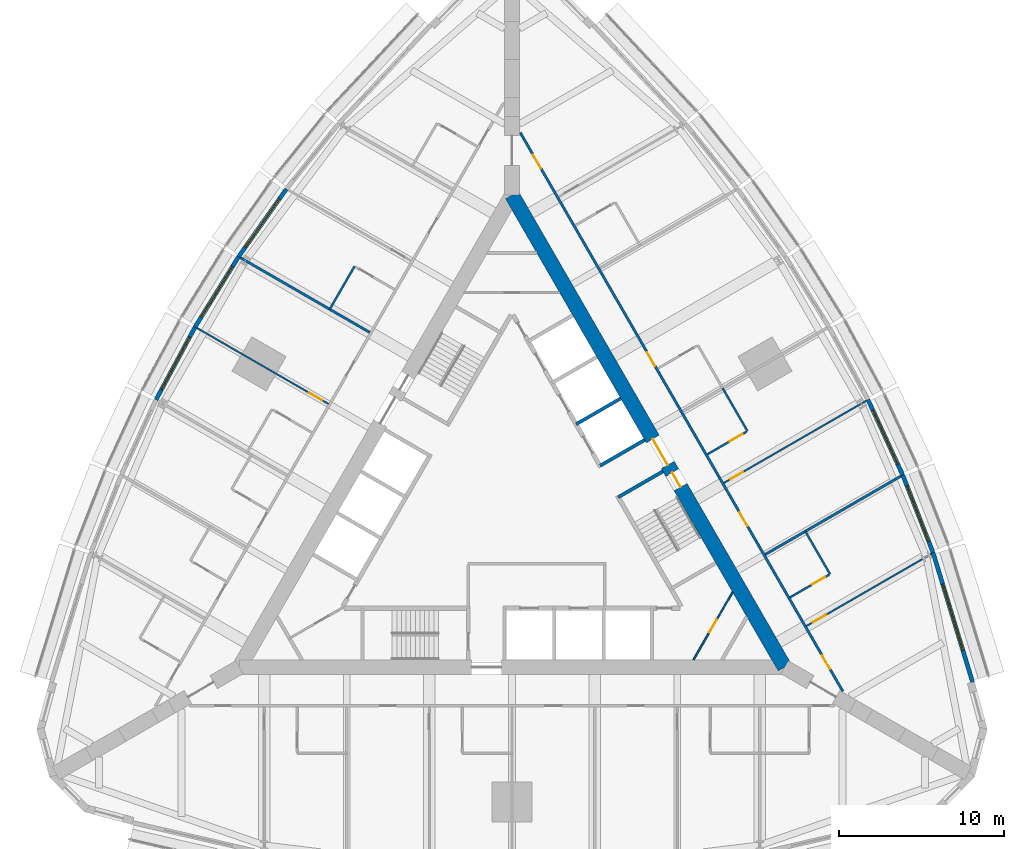
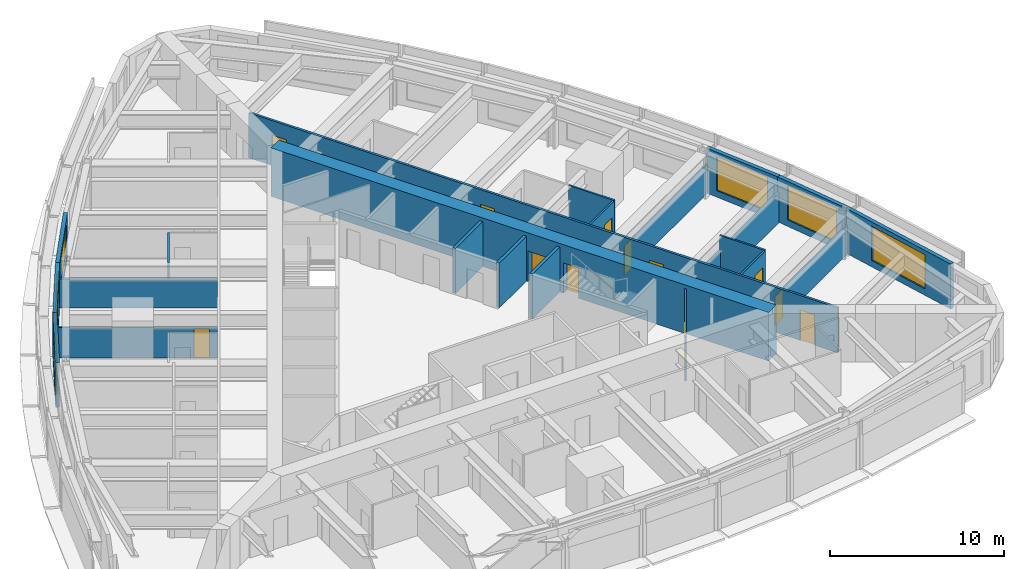
# One storey, part 11 of 14: 22 walls, 12 doors, 6 windows, 18 openings.
"""IFC4 building model written with IfcOpenShell, lengths in metres."""

from ifc_helpers import new_model, si_unit, direction, frame, frame_2d, origin, place, context, subcontext, project, spatial, rectangle, extrude, material, layer, layer_set, type_object, element, fill, save


model = new_model("IFC4")

# Units and contexts
model_context = context("Model", 3, precision=1e-05, world=origin(), true_north=direction((0.0, 1.0)))
body_context = subcontext(model_context, "Body", "Model", "MODEL_VIEW")
ifc_project = project(units=[si_unit("LENGTHUNIT", "METRE"), si_unit("AREAUNIT", "SQUARE_METRE"), si_unit("VOLUMEUNIT", "CUBIC_METRE"), si_unit("PLANEANGLEUNIT", "RADIAN"), si_unit("MASSUNIT", "GRAM", prefix="KILO")], contexts=[model_context])

# Site, building, storey
site_placement = place(None, origin())
site = spatial("IfcSite", under=ifc_project, at=site_placement, CompositionType="ELEMENT")
building_placement = place(site_placement, origin())
building = spatial("IfcBuilding", under=site, at=building_placement, Name="Trikona Tower", CompositionType="ELEMENT")
storey_placement = place(building_placement, frame((0.0, 0.0, 99.89990234375)))
storey = spatial("IfcBuildingStorey", under=building, at=storey_placement, Name="L26", CompositionType="ELEMENT", Elevation=99.89990234375)

# Wall
ifc_material_1 = material(Name="Metal stud and cement board", Category="gypsum")
ifc_layer_1 = layer(ifc_material_1, 0.1201171875)
ifc_layer_set_1 = layer_set([ifc_layer_1], Name="Bathroom wall 120")
wall_type_1 = type_object("IfcWallType", Name="Bathroom wall 120", PredefinedType="PLUMBINGWALL", material=ifc_layer_set_1)
wall_1_placement = place(storey_placement, frame((19.25341796875, -3.895263671875, 0.0), z_axis=(0.0, 0.0, 1.0), x_axis=(-0.499990139034, 0.866031096941, 0.0)))
element("IfcWall", 1, at=wall_1_placement, inside=storey, type_object=wall_type_1, Name="Bathroom wall 2605.1", PredefinedType="PLUMBINGWALL", context=body_context, shape_type="SweptSolid", body=[
    extrude(rectangle(XDim=3.0, YDim=0.1201171875, at=frame_2d((1.5, 0.0))), origin(), (0.0, 0.0, 1.0), 3.150146484375),
])

# Wall, opening, door
wall_2_placement = place(storey_placement, frame((16.82861328125, -5.295166015625, 0.0), z_axis=(0.0, 0.0, 1.0), x_axis=(0.866035715982, 0.499982138324, 0.0)))
wall_2 = element("IfcWall", 2, at=wall_2_placement, inside=storey, type_object=wall_type_1, Name="Bathroom wall 2605.1", PredefinedType="PLUMBINGWALL", context=body_context, shape_type="SweptSolid", body=[
    extrude(rectangle(XDim=2.73974609375, YDim=0.1201171875, at=frame_2d((1.369873046875, 0.0))), origin(), (0.0, 0.0, 1.0), 3.150146484375),
])
opening_1_placement = place(wall_2_placement, frame((1.550048828125, 0.0, 0.0)))
opening_1 = element("IfcOpeningElement", 3, at=opening_1_placement, cuts=wall_2, Name="Opening D2", PredefinedType="OPENING", context=body_context, shape_type="SweptSolid", body=[
    extrude(rectangle(XDim=0.89990234375, YDim=2.1298828125, at=frame_2d((0.449951171875, 1.06494140625))), frame((0.0, 0.070068359375, 0.0), z_axis=(0.0, -1.0, 0.0), x_axis=(1.0, 0.0, 0.0)), (0.0, 0.0, 1.0), 0.14013671875),
])
ifc_material_2 = material(Name="Steel door frame with solid-core timber leaf", Category="steel")
door_type_1 = type_object("IfcDoorType", Name="Bathroom door 900x2130", OperationType="SLIDING_TO_LEFT", PredefinedType="DOOR", material=ifc_material_2)
door_1_placement = place(opening_1_placement, origin())
door_1 = element("IfcDoor", 4, at=door_1_placement, inside=storey, type_object=door_type_1, Name="Bathroom door 2605.1", OperationType="SLIDING_TO_LEFT", OverallHeight=2.1298828125, OverallWidth=0.89990234375, PredefinedType="DOOR", context=body_context, shape_type="SweptSolid", body=[
    extrude(rectangle(XDim=0.89990234375, YDim=2.1298828125, at=frame_2d((0.449951171875, 1.06494140625))), frame((0.0, 0.02490234375, 0.0), z_axis=(0.0, -1.0, 0.0), x_axis=(1.0, 0.0, 0.0)), (0.0, 0.0, 1.0), 0.050048828125),
])
fill(opening_1, door_1)

# Wall
wall_3_placement = place(storey_placement, frame((14.25341796875, 4.76513671875, 0.0), z_axis=(0.0, 0.0, 1.0), x_axis=(-0.50002537861, 0.866010750942, 0.0)))
element("IfcWall", 5, at=wall_3_placement, inside=storey, type_object=wall_type_1, Name="Bathroom wall 2606.1", PredefinedType="PLUMBINGWALL", context=body_context, shape_type="SweptSolid", body=[
    extrude(rectangle(XDim=2.999755859375, YDim=0.1201171875, at=frame_2d((1.5, 0.0))), origin(), (0.0, 0.0, 1.0), 3.150146484375),
])

# Wall, opening, door
wall_4_placement = place(storey_placement, frame((11.82861328125, 3.364990234375, 0.0), z_axis=(0.0, 0.0, 1.0), x_axis=(0.865997131366, 0.500048966069, 0.0)))
wall_4 = element("IfcWall", 6, at=wall_4_placement, inside=storey, type_object=wall_type_1, Name="Bathroom wall 2606.1", PredefinedType="PLUMBINGWALL", context=body_context, shape_type="SweptSolid", body=[
    extrude(rectangle(XDim=2.739990234375, YDim=0.1201171875, at=frame_2d((1.3701171875, 0.0))), origin(), (0.0, 0.0, 1.0), 3.150146484375),
])
opening_2_placement = place(wall_4_placement, frame((1.550048828125, 0.0, 0.0)))
opening_2 = element("IfcOpeningElement", 7, at=opening_2_placement, cuts=wall_4, Name="Opening D2", PredefinedType="OPENING", context=body_context, shape_type="SweptSolid", body=[
    extrude(rectangle(XDim=0.89990234375, YDim=2.1298828125, at=frame_2d((0.449951171875, 1.06494140625))), frame((0.0, 0.070068359375, 0.0), z_axis=(0.0, -1.0, 0.0), x_axis=(1.0, 0.0, 0.0)), (0.0, 0.0, 1.0), 0.14013671875),
])
door_2_placement = place(opening_2_placement, origin())
door_2 = element("IfcDoor", 8, at=door_2_placement, inside=storey, type_object=door_type_1, Name="Bathroom door 2606.1", OperationType="SLIDING_TO_LEFT", OverallHeight=2.1298828125, OverallWidth=0.89990234375, PredefinedType="DOOR", context=body_context, shape_type="SweptSolid", body=[
    extrude(rectangle(XDim=0.89990234375, YDim=2.1298828125, at=frame_2d((0.449951171875, 1.06494140625))), frame((0.0, 0.02490234375, 0.0), z_axis=(0.0, -1.0, 0.0), x_axis=(1.0, 0.0, 0.0)), (0.0, 0.0, 1.0), 0.050048828125),
])
fill(opening_2, door_2)

# Wall
wall_5_placement = place(storey_placement, frame((-9.53271484375, 14.7412109375, 0.0), z_axis=(0.0, 0.0, 1.0), x_axis=(-0.50002537861, -0.866010750942, 0.0)))
element("IfcWall", 9, at=wall_5_placement, inside=storey, type_object=wall_type_1, Name="Bathroom wall 2610.1", PredefinedType="PLUMBINGWALL", context=body_context, shape_type="SweptSolid", body=[
    extrude(rectangle(XDim=2.999755859375, YDim=0.1201171875, at=frame_2d((1.5, 0.0))), origin(), (0.0, 0.0, 1.0), 3.150146484375),
])

# Wall, openings, doors
ifc_material_3 = material(Name="Concrete f'c 10000 psi", Category="concrete")
ifc_layer_2 = layer(ifc_material_3, 0.89990234375)
ifc_layer_set_2 = layer_set([ifc_layer_2], Name="Core wall 900")
wall_type_2 = type_object("IfcWallType", Name="Core wall 900", PredefinedType="SHEAR", material=ifc_layer_set_2)
wall_6_placement = place(storey_placement, frame((16.5, -9.5263671875, 0.0), z_axis=(0.0, 0.0, 1.0), x_axis=(-0.499999749417, 0.866025548458, 0.0)))
wall_6 = element("IfcWall", 10, at=wall_6_placement, inside=storey, type_object=wall_type_2, Name="Core wall B", PredefinedType="SHEAR", context=body_context, shape_type="SweptSolid", body=[
    extrude(rectangle(XDim=33.0, YDim=0.89990234375, at=frame_2d((16.5, 0.0))), origin(), (0.0, 0.0, 1.0), 3.400146484375),
])
opening_3_placement = place(wall_6_placement, frame((14.14990234375, 0.0, 0.0)))
opening_3 = element("IfcOpeningElement", 11, at=opening_3_placement, cuts=wall_6, Name="Opening D6", PredefinedType="OPENING", context=body_context, shape_type="SweptSolid", body=[
    extrude(rectangle(XDim=1.800048828125, YDim=2.1298828125, at=frame_2d((0.89990234375, 1.06494140625))), frame((0.0, 0.4599609375, 0.0), z_axis=(0.0, -1.0, 0.0), x_axis=(1.0, 0.0, 0.0)), (0.0, 0.0, 1.0), 0.919921875),
])
opening_4_placement = place(wall_6_placement, frame((12.60009765625, 0.0, 0.0)))
opening_4 = element("IfcOpeningElement", 12, at=opening_4_placement, cuts=wall_6, Name="Opening D5", PredefinedType="OPENING", context=body_context, shape_type="SweptSolid", body=[
    extrude(rectangle(XDim=1.0, YDim=2.1298828125, at=frame_2d((0.5, 1.06494140625))), frame((0.0, 0.4599609375, 0.0), z_axis=(0.0, -1.0, 0.0), x_axis=(1.0, 0.0, 0.0)), (0.0, 0.0, 1.0), 0.919921875),
])
ifc_material_4 = material(Name="Hollow metal door and frame", Category="steel")
door_type_2 = type_object("IfcDoorType", Name="Lobby door pair 1800x2130", OperationType="DOUBLE_DOOR_SINGLE_SWING", PredefinedType="DOOR", material=ifc_material_4)
door_3_placement = place(opening_3_placement, origin())
door_3 = element("IfcDoor", 13, at=door_3_placement, inside=storey, type_object=door_type_2, Name="Lift lobby door B", OperationType="DOUBLE_DOOR_SINGLE_SWING", OverallHeight=2.1298828125, OverallWidth=1.800048828125, PredefinedType="DOOR", context=body_context, shape_type="SweptSolid", body=[
    extrude(rectangle(XDim=1.800048828125, YDim=2.1298828125, at=frame_2d((0.89990234375, 1.06494140625))), frame((0.0, 0.02490234375, 0.0), z_axis=(0.0, -1.0, 0.0), x_axis=(1.0, 0.0, 0.0)), (0.0, 0.0, 1.0), 0.050048828125),
])
fill(opening_3, door_3)
ifc_material_5 = material(Name="Hollow metal door and frame", Category="steel")
door_type_3 = type_object("IfcDoorType", Name="Stair door 1000x2130", OperationType="SINGLE_SWING_LEFT", PredefinedType="DOOR", material=ifc_material_5)
door_4_placement = place(opening_4_placement, origin())
door_4 = element("IfcDoor", 14, at=door_4_placement, inside=storey, type_object=door_type_3, Name="Stair B door", OperationType="SINGLE_SWING_RIGHT", OverallHeight=2.1298828125, OverallWidth=1.0, PredefinedType="DOOR", context=body_context, shape_type="SweptSolid", body=[
    extrude(rectangle(XDim=1.0, YDim=2.1298828125, at=frame_2d((0.5, 1.06494140625))), frame((0.0, 0.02490234375, 0.0), z_axis=(0.0, -1.0, 0.0), x_axis=(1.0, 0.0, 0.0)), (0.0, 0.0, 1.0), 0.050048828125),
])
fill(opening_4, door_4)

ifc_material_6 = material(Name="Metal stud and gypsum board, 1-hour", Category="gypsum")
ifc_layer_3 = layer(ifc_material_6, 0.14990234375)
ifc_layer_set_3 = layer_set([ifc_layer_3], Name="Corridor wall 150")
wall_type_3 = type_object("IfcWallType", Name="Corridor wall 150", PredefinedType="PARTITIONING", material=ifc_layer_set_3)
wall_7_placement = place(storey_placement, frame((20.027099609375, -10.9853515625, 0.0), z_axis=(0.0, 0.0, 1.0), x_axis=(-0.500001677587, 0.866024435227, 0.0)))
wall_7 = element("IfcWall", 15, at=wall_7_placement, inside=storey, type_object=wall_type_3, Name="Corridor wall L26-2", PredefinedType="PARTITIONING", context=body_context, shape_type="SweptSolid", body=[
    extrude(rectangle(XDim=39.053955078125, YDim=0.14990234375, at=frame_2d((19.52685546875, 0.0))), origin(), (0.0, 0.0, 1.0), 3.150146484375),
])
opening_5_placement = place(wall_7_placement, frame((1.558349609375, 0.0, 0.0)))
opening_5 = element("IfcOpeningElement", 16, at=opening_5_placement, cuts=wall_7, Name="Opening D1", PredefinedType="OPENING", context=body_context, shape_type="SweptSolid", body=[
    extrude(rectangle(XDim=0.949951171875, YDim=2.1298828125, at=frame_2d((0.47509765625, 1.06494140625))), frame((0.0, 0.0849609375, 0.0), z_axis=(0.0, -1.0, 0.0), x_axis=(1.0, 0.0, 0.0)), (0.0, 0.0, 1.0), 0.169921875),
])
opening_6_placement = place(wall_7_placement, frame((11.552001953125, 0.0, 0.0)))
opening_6 = element("IfcOpeningElement", 17, at=opening_6_placement, cuts=wall_7, Name="Opening D1", PredefinedType="OPENING", context=body_context, shape_type="SweptSolid", body=[
    extrude(rectangle(XDim=0.949951171875, YDim=2.1298828125, at=frame_2d((0.47509765625, 1.06494140625))), frame((0.0, 0.0849609375, 0.0), z_axis=(0.0, -1.0, 0.0), x_axis=(1.0, 0.0, 0.0)), (0.0, 0.0, 1.0), 0.169921875),
])
opening_7_placement = place(wall_7_placement, frame((22.751953125, 0.0, 0.0)))
opening_7 = element("IfcOpeningElement", 18, at=opening_7_placement, cuts=wall_7, Name="Opening D1", PredefinedType="OPENING", context=body_context, shape_type="SweptSolid", body=[
    extrude(rectangle(XDim=0.949951171875, YDim=2.1298828125, at=frame_2d((0.47509765625, 1.06494140625))), frame((0.0, 0.0849609375, 0.0), z_axis=(0.0, -1.0, 0.0), x_axis=(1.0, 0.0, 0.0)), (0.0, 0.0, 1.0), 0.169921875),
])
opening_8_placement = place(wall_7_placement, frame((36.545654296875, 0.0, 0.0)))
opening_8 = element("IfcOpeningElement", 19, at=opening_8_placement, cuts=wall_7, Name="Opening D1", PredefinedType="OPENING", context=body_context, shape_type="SweptSolid", body=[
    extrude(rectangle(XDim=0.949951171875, YDim=2.1298828125, at=frame_2d((0.47509765625, 1.06494140625))), frame((0.0, 0.0849609375, 0.0), z_axis=(0.0, -1.0, 0.0), x_axis=(1.0, 0.0, 0.0)), (0.0, 0.0, 1.0), 0.169921875),
])
ifc_material_7 = material(Name="Steel door frame with solid-core timber leaf", Category="steel")
door_type_4 = type_object("IfcDoorType", Name="Guest room door 950x2130", OperationType="SINGLE_SWING_LEFT", PredefinedType="DOOR", material=ifc_material_7)
door_5_placement = place(opening_5_placement, origin())
door_5 = element("IfcDoor", 20, at=door_5_placement, inside=storey, type_object=door_type_4, Name="Room door 2605", OperationType="SINGLE_SWING_LEFT", OverallHeight=2.1298828125, OverallWidth=0.949951171875, PredefinedType="DOOR", context=body_context, shape_type="SweptSolid", body=[
    extrude(rectangle(XDim=0.949951171875, YDim=2.1298828125, at=frame_2d((0.47509765625, 1.06494140625))), frame((0.0, 0.02490234375, 0.0), z_axis=(0.0, -1.0, 0.0), x_axis=(1.0, 0.0, 0.0)), (0.0, 0.0, 1.0), 0.050048828125),
])
fill(opening_5, door_5)
door_6_placement = place(opening_6_placement, origin())
door_6 = element("IfcDoor", 21, at=door_6_placement, inside=storey, type_object=door_type_4, Name="Room door 2606", OperationType="SINGLE_SWING_RIGHT", OverallHeight=2.1298828125, OverallWidth=0.949951171875, PredefinedType="DOOR", context=body_context, shape_type="SweptSolid", body=[
    extrude(rectangle(XDim=0.949951171875, YDim=2.1298828125, at=frame_2d((0.47509765625, 1.06494140625))), frame((0.0, 0.02490234375, 0.0), z_axis=(0.0, -1.0, 0.0), x_axis=(1.0, 0.0, 0.0)), (0.0, 0.0, 1.0), 0.050048828125),
])
fill(opening_6, door_6)
door_7_placement = place(opening_7_placement, origin())
door_7 = element("IfcDoor", 22, at=door_7_placement, inside=storey, type_object=door_type_4, Name="Room door 2607", OperationType="SINGLE_SWING_LEFT", OverallHeight=2.1298828125, OverallWidth=0.949951171875, PredefinedType="DOOR", context=body_context, shape_type="SweptSolid", body=[
    extrude(rectangle(XDim=0.949951171875, YDim=2.1298828125, at=frame_2d((0.47509765625, 1.06494140625))), frame((0.0, 0.02490234375, 0.0), z_axis=(0.0, -1.0, 0.0), x_axis=(1.0, 0.0, 0.0)), (0.0, 0.0, 1.0), 0.050048828125),
])
fill(opening_7, door_7)
door_8_placement = place(opening_8_placement, origin())
door_8 = element("IfcDoor", 23, at=door_8_placement, inside=storey, type_object=door_type_4, Name="Room door 2608", OperationType="SINGLE_SWING_RIGHT", OverallHeight=2.1298828125, OverallWidth=0.949951171875, PredefinedType="DOOR", context=body_context, shape_type="SweptSolid", body=[
    extrude(rectangle(XDim=0.949951171875, YDim=2.1298828125, at=frame_2d((0.47509765625, 1.06494140625))), frame((0.0, 0.02490234375, 0.0), z_axis=(0.0, -1.0, 0.0), x_axis=(1.0, 0.0, 0.0)), (0.0, 0.0, 1.0), 0.050048828125),
])
fill(opening_8, door_8)

# Wall, opening, window
ifc_material_8 = material(Name="Insulated precast concrete spandrel panel", Category="concrete")
ifc_layer_4 = layer(ifc_material_8, 0.25)
ifc_layer_set_4 = layer_set([ifc_layer_4], Name="Inner skin wall 250")
wall_type_4 = type_object("IfcWallType", Name="Inner skin wall 250", PredefinedType="STANDARD", material=ifc_layer_set_4)
wall_8_placement = place(storey_placement, frame((27.88037109375, -10.4287109375, 0.0), z_axis=(0.0, 0.0, 1.0), x_axis=(-0.2919790669, 0.956424709265, 0.0)))
wall_8 = element("IfcWall", 24, at=wall_8_placement, inside=storey, type_object=wall_type_4, Name="External wall L26-12", PredefinedType="STANDARD", context=body_context, shape_type="SweptSolid", body=[
    extrude(rectangle(XDim=8.211181640625, YDim=0.25, at=frame_2d((4.10546875, 0.0))), origin(), (0.0, 0.0, 1.0), 3.150146484375),
])
opening_9_placement = place(wall_8_placement, frame((2.005615234375, 0.0, 0.449951171875)))
opening_9 = element("IfcOpeningElement", 25, at=opening_9_placement, cuts=wall_8, Name="Opening W4224", PredefinedType="OPENING", context=body_context, shape_type="SweptSolid", body=[
    extrude(rectangle(XDim=4.199951171875, YDim=2.39990234375, at=frame_2d((2.10009765625, 1.199951171875))), frame((0.0, 0.135009765625, 0.0), z_axis=(0.0, -1.0, 0.0), x_axis=(1.0, 0.0, 0.0)), (0.0, 0.0, 1.0), 0.27001953125),
])
ifc_material_9 = material(Name="Aluminium-framed double glazing", Category="aluminium")
window_type_1 = type_object("IfcWindowType", Name="Window 4200x2400", PartitioningType="SINGLE_PANEL", PredefinedType="WINDOW", material=ifc_material_9)
window_1_placement = place(opening_9_placement, origin())
window_1 = element("IfcWindow", 26, at=window_1_placement, inside=storey, type_object=window_type_1, Name="Window 2605", OverallHeight=2.39990234375, OverallWidth=4.199951171875, PartitioningType="SINGLE_PANEL", PredefinedType="WINDOW", context=body_context, shape_type="SweptSolid", body=[
    extrude(rectangle(XDim=4.199951171875, YDim=2.39990234375, at=frame_2d((2.10009765625, 1.199951171875))), frame((0.0, 0.030029296875, 0.0), z_axis=(0.0, -1.0, 0.0), x_axis=(1.0, 0.0, 0.0)), (0.0, 0.0, 1.0), 0.06005859375),
])
fill(opening_9, window_1)

wall_9_placement = place(storey_placement, frame((25.486083984375, -2.58447265625, 0.0), z_axis=(0.0, 0.0, 1.0), x_axis=(-0.364013463868, 0.931393685894, 0.0)))
wall_9 = element("IfcWall", 27, at=wall_9_placement, inside=storey, type_object=wall_type_4, Name="External wall L26-13", PredefinedType="STANDARD", context=body_context, shape_type="SweptSolid", body=[
    extrude(rectangle(XDim=5.0576171875, YDim=0.25, at=frame_2d((2.52880859375, 0.0))), origin(), (0.0, 0.0, 1.0), 3.150146484375),
])
opening_10_placement = place(wall_9_placement, frame((0.728759765625, 0.0, 0.449951171875)))
opening_10 = element("IfcOpeningElement", 28, at=opening_10_placement, cuts=wall_9, Name="Opening W3624", PredefinedType="OPENING", context=body_context, shape_type="SweptSolid", body=[
    extrude(rectangle(XDim=3.60009765625, YDim=2.39990234375, at=frame_2d((1.800048828125, 1.199951171875))), frame((0.0, 0.135009765625, 0.0), z_axis=(0.0, -1.0, 0.0), x_axis=(1.0, 0.0, 0.0)), (0.0, 0.0, 1.0), 0.27001953125),
])
ifc_material_10 = material(Name="Aluminium-framed double glazing", Category="aluminium")
window_type_2 = type_object("IfcWindowType", Name="Window 3600x2400", PartitioningType="SINGLE_PANEL", PredefinedType="WINDOW", material=ifc_material_10)
window_2_placement = place(opening_10_placement, origin())
window_2 = element("IfcWindow", 29, at=window_2_placement, inside=storey, type_object=window_type_2, Name="Window 2605.1", OverallHeight=2.39990234375, OverallWidth=3.60009765625, PartitioningType="SINGLE_PANEL", PredefinedType="WINDOW", context=body_context, shape_type="SweptSolid", body=[
    extrude(rectangle(XDim=3.60009765625, YDim=2.39990234375, at=frame_2d((1.800048828125, 1.199951171875))), frame((0.0, 0.030029296875, 0.0), z_axis=(0.0, -1.0, 0.0), x_axis=(1.0, 0.0, 0.0)), (0.0, 0.0, 1.0), 0.06005859375),
])
fill(opening_10, window_2)

wall_10_placement = place(storey_placement, frame((23.64794921875, 2.119384765625, 0.0), z_axis=(0.0, 0.0, 1.0), x_axis=(-0.419203100754, 0.907892482796, 0.0)))
wall_10 = element("IfcWall", 30, at=wall_10_placement, inside=storey, type_object=wall_type_4, Name="External wall L26-14", PredefinedType="STANDARD", context=body_context, shape_type="SweptSolid", body=[
    extrude(rectangle(XDim=5.020751953125, YDim=0.25, at=frame_2d((2.51025390625, 0.0))), origin(), (0.0, 0.0, 1.0), 3.150146484375),
])
opening_11_placement = place(wall_10_placement, frame((0.71044921875, 0.0, 0.449951171875)))
opening_11 = element("IfcOpeningElement", 31, at=opening_11_placement, cuts=wall_10, Name="Opening W3624", PredefinedType="OPENING", context=body_context, shape_type="SweptSolid", body=[
    extrude(rectangle(XDim=3.60009765625, YDim=2.39990234375, at=frame_2d((1.800048828125, 1.199951171875))), frame((0.0, 0.135009765625, 0.0), z_axis=(0.0, -1.0, 0.0), x_axis=(1.0, 0.0, 0.0)), (0.0, 0.0, 1.0), 0.27001953125),
])
window_3_placement = place(opening_11_placement, origin())
window_3 = element("IfcWindow", 32, at=window_3_placement, inside=storey, type_object=window_type_2, Name="Window 2606", OverallHeight=2.39990234375, OverallWidth=3.60009765625, PartitioningType="SINGLE_PANEL", PredefinedType="WINDOW", context=body_context, shape_type="SweptSolid", body=[
    extrude(rectangle(XDim=3.60009765625, YDim=2.39990234375, at=frame_2d((1.800048828125, 1.199951171875))), frame((0.0, 0.030029296875, 0.0), z_axis=(0.0, -1.0, 0.0), x_axis=(1.0, 0.0, 0.0)), (0.0, 0.0, 1.0), 0.06005859375),
])
fill(opening_11, window_3)

wall_11_placement = place(storey_placement, frame((-13.659423828125, 19.420166015625, 0.0), z_axis=(0.0, 0.0, 1.0), x_axis=(-0.5766431066, -0.81699616132, 0.0)))
wall_11 = element("IfcWall", 33, at=wall_11_placement, inside=storey, type_object=wall_type_4, Name="External wall L26-26", PredefinedType="STANDARD", context=body_context, shape_type="SweptSolid", body=[
    extrude(rectangle(XDim=5.02099609375, YDim=0.25, at=frame_2d((2.510498046875, 0.0))), origin(), (0.0, 0.0, 1.0), 3.150146484375),
])
opening_12_placement = place(wall_11_placement, frame((0.71044921875, 0.0, 0.449951171875)))
opening_12 = element("IfcOpeningElement", 34, at=opening_12_placement, cuts=wall_11, Name="Opening W3624", PredefinedType="OPENING", context=body_context, shape_type="SweptSolid", body=[
    extrude(rectangle(XDim=3.60009765625, YDim=2.39990234375, at=frame_2d((1.800048828125, 1.199951171875))), frame((0.0, 0.135009765625, 0.0), z_axis=(0.0, -1.0, 0.0), x_axis=(1.0, 0.0, 0.0)), (0.0, 0.0, 1.0), 0.27001953125),
])
window_4_placement = place(opening_12_placement, origin())
window_4 = element("IfcWindow", 35, at=window_4_placement, inside=storey, type_object=window_type_2, Name="Window 2610.1", OverallHeight=2.39990234375, OverallWidth=3.60009765625, PartitioningType="SINGLE_PANEL", PredefinedType="WINDOW", context=body_context, shape_type="SweptSolid", body=[
    extrude(rectangle(XDim=3.60009765625, YDim=2.39990234375, at=frame_2d((1.800048828125, 1.199951171875))), frame((0.0, 0.030029296875, 0.0), z_axis=(0.0, -1.0, 0.0), x_axis=(1.0, 0.0, 0.0)), (0.0, 0.0, 1.0), 0.06005859375),
])
fill(opening_12, window_4)

wall_12_placement = place(storey_placement, frame((-16.550537109375, 15.324462890625, 0.0), z_axis=(0.0, 0.0, 1.0), x_axis=(-0.526132807704, -0.850402415717, 0.0)))
wall_12 = element("IfcWall", 36, at=wall_12_placement, inside=storey, type_object=wall_type_4, Name="External wall L26-27", PredefinedType="STANDARD", context=body_context, shape_type="SweptSolid", body=[
    extrude(rectangle(XDim=5.002197265625, YDim=0.25, at=frame_2d((2.5009765625, 0.0))), origin(), (0.0, 0.0, 1.0), 3.150146484375),
])
opening_13_placement = place(wall_12_placement, frame((0.701171875, 0.0, 0.449951171875)))
opening_13 = element("IfcOpeningElement", 37, at=opening_13_placement, cuts=wall_12, Name="Opening W3624", PredefinedType="OPENING", context=body_context, shape_type="SweptSolid", body=[
    extrude(rectangle(XDim=3.60009765625, YDim=2.39990234375, at=frame_2d((1.800048828125, 1.199951171875))), frame((0.0, 0.135009765625, 0.0), z_axis=(0.0, -1.0, 0.0), x_axis=(1.0, 0.0, 0.0)), (0.0, 0.0, 1.0), 0.27001953125),
])
window_5_placement = place(opening_13_placement, origin())
window_5 = element("IfcWindow", 38, at=window_5_placement, inside=storey, type_object=window_type_2, Name="Window 2611", OverallHeight=2.39990234375, OverallWidth=3.60009765625, PartitioningType="SINGLE_PANEL", PredefinedType="WINDOW", context=body_context, shape_type="SweptSolid", body=[
    extrude(rectangle(XDim=3.60009765625, YDim=2.39990234375, at=frame_2d((1.800048828125, 1.199951171875))), frame((0.0, 0.030029296875, 0.0), z_axis=(0.0, -1.0, 0.0), x_axis=(1.0, 0.0, 0.0)), (0.0, 0.0, 1.0), 0.06005859375),
])
fill(opening_13, window_5)

wall_13_placement = place(storey_placement, frame((-19.178466796875, 11.0771484375, 0.0), z_axis=(0.0, 0.0, 1.0), x_axis=(-0.473412820489, -0.880840678782, 0.0)))
wall_13 = element("IfcWall", 39, at=wall_13_placement, inside=storey, type_object=wall_type_4, Name="External wall L26-28", PredefinedType="STANDARD", context=body_context, shape_type="SweptSolid", body=[
    extrude(rectangle(XDim=5.00244140625, YDim=0.25, at=frame_2d((2.501220703125, 0.0))), origin(), (0.0, 0.0, 1.0), 3.150146484375),
])
opening_14_placement = place(wall_13_placement, frame((0.701171875, 0.0, 0.449951171875)))
opening_14 = element("IfcOpeningElement", 40, at=opening_14_placement, cuts=wall_13, Name="Opening W3624", PredefinedType="OPENING", context=body_context, shape_type="SweptSolid", body=[
    extrude(rectangle(XDim=3.60009765625, YDim=2.39990234375, at=frame_2d((1.800048828125, 1.199951171875))), frame((0.0, 0.135009765625, 0.0), z_axis=(0.0, -1.0, 0.0), x_axis=(1.0, 0.0, 0.0)), (0.0, 0.0, 1.0), 0.27001953125),
])
window_6_placement = place(opening_14_placement, origin())
window_6 = element("IfcWindow", 41, at=window_6_placement, inside=storey, type_object=window_type_2, Name="Window 2611.1", OverallHeight=2.39990234375, OverallWidth=3.60009765625, PartitioningType="SINGLE_PANEL", PredefinedType="WINDOW", context=body_context, shape_type="SweptSolid", body=[
    extrude(rectangle(XDim=3.60009765625, YDim=2.39990234375, at=frame_2d((1.800048828125, 1.199951171875))), frame((0.0, 0.030029296875, 0.0), z_axis=(0.0, -1.0, 0.0), x_axis=(1.0, 0.0, 0.0)), (0.0, 0.0, 1.0), 0.06005859375),
])
fill(opening_14, window_6)

# Walls
ifc_material_11 = material(Name="Metal stud and gypsum board, 1-hour acoustic", Category="gypsum")
ifc_layer_5 = layer(ifc_material_11, 0.14990234375)
ifc_layer_set_5 = layer_set([ifc_layer_5], Name="Party wall 150")
wall_type_5 = type_object("IfcWallType", Name="Party wall 150", PredefinedType="PARTITIONING", material=ifc_layer_set_5)
wall_14_placement = place(storey_placement, frame((15.32861328125, -2.697021484375, 0.0), z_axis=(0.0, 0.0, 1.0), x_axis=(0.866018409083, 0.500012114982, 0.0)))
element("IfcWall", 42, at=wall_14_placement, inside=storey, type_object=wall_type_5, Name="Partition L26 F2 u-10", PredefinedType="PARTITIONING", context=body_context, shape_type="SweptSolid", body=[
    extrude(rectangle(XDim=9.484619140625, YDim=0.14990234375, at=frame_2d((4.7421875, 0.0))), origin(), (0.0, 0.0, 1.0), 2.108642578125),
])
wall_15_placement = place(storey_placement, frame((-8.60791015625, 10.743408203125, 0.0), z_axis=(0.0, 0.0, 1.0), x_axis=(-0.866028232062, 0.499995101247, 0.0)))
element("IfcWall", 43, at=wall_15_placement, inside=storey, type_object=wall_type_5, Name="Partition L26 F3 u-5", PredefinedType="PARTITIONING", context=body_context, shape_type="SweptSolid", body=[
    extrude(rectangle(XDim=9.04296875, YDim=0.14990234375, at=frame_2d((4.521484375, 0.0))), origin(), (0.0, 0.0, 1.0), 2.050048828125),
])
ifc_material_12 = material(Name="Concrete f'c 8000 psi", Category="concrete")
ifc_layer_6 = layer(ifc_material_12, 0.199951171875)
ifc_layer_set_6 = layer_set([ifc_layer_6], Name="Shaft wall 200")
wall_type_6 = type_object("IfcWallType", Name="Shaft wall 200", PredefinedType="SOLIDWALL", material=ifc_layer_set_6)
for number, where, z_axis, x_axis, name in (
    (44, (5.3291015625, 2.672607421875, 0.0), (0.0, 0.0, 1.0), (0.866022959057, 0.500004234368, 0.0), "Shaft wall B3"),
    (45, (3.87890625, 5.18408203125, 0.0), (0.0, 0.0, 1.0), (0.866022959057, 0.500004234368, 0.0), "Shaft wall B4"),
):
    element("IfcWall", number, at=place(storey_placement, frame(where, z_axis=z_axis, x_axis=x_axis)), inside=storey, type_object=wall_type_6, Name=name, PredefinedType="SOLIDWALL", context=body_context, shape_type="SweptSolid", body=[
        extrude(rectangle(XDim=3.125, YDim=0.199951171875, at=frame_2d((1.5625, 0.0))), origin(), (0.0, 0.0, 1.0), 3.150146484375),
    ])
ifc_material_13 = material(Name="Concrete f'c 8000 psi", Category="concrete")
ifc_layer_7 = layer(ifc_material_13, 0.199951171875)
ifc_layer_set_7 = layer_set([ifc_layer_7], Name="Shaft wall 200 load-bearing")
wall_type_7 = type_object("IfcWallType", Name="Shaft wall 200 load-bearing", PredefinedType="SOLIDWALL", material=ifc_layer_set_7)
wall_16_placement = place(storey_placement, frame((6.428955078125, 0.767333984375, 0.0), z_axis=(0.0, 0.0, 1.0), x_axis=(0.866022959057, 0.500004234368, 0.0)))
element("IfcWall", 46, at=wall_16_placement, inside=storey, type_object=wall_type_7, Name="Shaft wall B2", PredefinedType="SOLIDWALL", context=body_context, shape_type="SweptSolid", body=[
    extrude(rectangle(XDim=3.125, YDim=0.199951171875, at=frame_2d((1.5625, 0.0))), origin(), (0.0, 0.0, 1.0), 3.150146484375),
])

# Wall, opening, door
ifc_material_14 = material(Name="Metal stud and gypsum board, acoustic", Category="gypsum")
ifc_layer_8 = layer(ifc_material_14, 0.10009765625)
ifc_layer_set_8 = layer_set([ifc_layer_8], Name="Suite partition 100")
wall_type_8 = type_object("IfcWallType", Name="Suite partition 100", PredefinedType="PARTITIONING", material=ifc_layer_set_8)
wall_17_placement = place(storey_placement, frame((17.82861328125, -7.027099609375, 0.0), z_axis=(0.0, 0.0, 1.0), x_axis=(0.866032659912, 0.499987431809, 0.0)))
wall_17 = element("IfcWall", 47, at=wall_17_placement, inside=storey, type_object=wall_type_8, Name="Suite partition L26 F2 u-15", PredefinedType="PARTITIONING", context=body_context, shape_type="SweptSolid", body=[
    extrude(rectangle(XDim=8.719970703125, YDim=0.10009765625, at=frame_2d((4.35986328125, 0.0))), origin(), (0.0, 0.0, 1.0), 2.050048828125),
])
opening_15_placement = place(wall_17_placement, frame((0.449951171875, 0.0, 0.0)))
opening_15 = element("IfcOpeningElement", 48, at=opening_15_placement, cuts=wall_17, Name="Opening D16", PredefinedType="OPENING", context=body_context, shape_type="SweptSolid", body=[
    extrude(rectangle(XDim=0.89990234375, YDim=2.031982421875, at=frame_2d((0.449951171875, 1.01611328125))), frame((0.0, 0.06005859375, 0.0), z_axis=(0.0, -1.0, 0.0), x_axis=(1.0, 0.0, 0.0)), (0.0, 0.0, 1.0), 0.1201171875),
])
ifc_material_15 = material(Name="Steel door frame with solid-core timber leaf", Category="steel")
door_type_5 = type_object("IfcDoorType", Name="Suite door 900x2032", OperationType="SINGLE_SWING_LEFT", PredefinedType="DOOR", material=ifc_material_15)
door_9_placement = place(opening_15_placement, origin())
door_9 = element("IfcDoor", 49, at=door_9_placement, inside=storey, type_object=door_type_5, Name="Suite door 2605", OperationType="SINGLE_SWING_LEFT", OverallHeight=2.031982421875, OverallWidth=0.89990234375, PredefinedType="DOOR", context=body_context, shape_type="SweptSolid", body=[
    extrude(rectangle(XDim=0.89990234375, YDim=2.031982421875, at=frame_2d((0.449951171875, 1.01611328125))), frame((0.0, 0.02490234375, 0.0), z_axis=(0.0, -1.0, 0.0), x_axis=(1.0, 0.0, 0.0)), (0.0, 0.0, 1.0), 0.050048828125),
])
fill(opening_15, door_9)

wall_18_placement = place(storey_placement, frame((12.82861328125, 1.633056640625, 0.0), z_axis=(0.0, 0.0, 1.0), x_axis=(0.866026934769, 0.499997348248, 0.0)))
wall_18 = element("IfcWall", 50, at=wall_18_placement, inside=storey, type_object=wall_type_8, Name="Suite partition L26 F2 u-5", PredefinedType="PARTITIONING", context=body_context, shape_type="SweptSolid", body=[
    extrude(rectangle(XDim=9.94287109375, YDim=0.10009765625, at=frame_2d((4.971435546875, 0.0))), origin(), (0.0, 0.0, 1.0), 2.050048828125),
])
opening_16_placement = place(wall_18_placement, frame((0.449951171875, 0.0, 0.0)))
opening_16 = element("IfcOpeningElement", 51, at=opening_16_placement, cuts=wall_18, Name="Opening D16", PredefinedType="OPENING", context=body_context, shape_type="SweptSolid", body=[
    extrude(rectangle(XDim=0.89990234375, YDim=2.031982421875, at=frame_2d((0.449951171875, 1.01611328125))), frame((0.0, 0.06005859375, 0.0), z_axis=(0.0, -1.0, 0.0), x_axis=(1.0, 0.0, 0.0)), (0.0, 0.0, 1.0), 0.1201171875),
])
door_10_placement = place(opening_16_placement, origin())
door_10 = element("IfcDoor", 52, at=door_10_placement, inside=storey, type_object=door_type_5, Name="Suite door 2606", OperationType="SINGLE_SWING_LEFT", OverallHeight=2.031982421875, OverallWidth=0.89990234375, PredefinedType="DOOR", context=body_context, shape_type="SweptSolid", body=[
    extrude(rectangle(XDim=0.89990234375, YDim=2.031982421875, at=frame_2d((0.449951171875, 1.01611328125))), frame((0.0, 0.02490234375, 0.0), z_axis=(0.0, -1.0, 0.0), x_axis=(1.0, 0.0, 0.0)), (0.0, 0.0, 1.0), 0.050048828125),
])
fill(opening_16, door_10)

wall_19_placement = place(storey_placement, frame((-11.10791015625, 6.4130859375, 0.0), z_axis=(0.0, 0.0, 1.0), x_axis=(-0.866022450903, 0.500005114506, 0.0)))
wall_19 = element("IfcWall", 53, at=wall_19_placement, inside=storey, type_object=wall_type_8, Name="Suite partition L26 F3 u-5.10703e-15", PredefinedType="PARTITIONING", context=body_context, shape_type="SweptSolid", body=[
    extrude(rectangle(XDim=9.1962890625, YDim=0.10009765625, at=frame_2d((4.59814453125, 0.0))), origin(), (0.0, 0.0, 1.0), 2.108642578125),
])
opening_17_placement = place(wall_19_placement, frame((0.449951171875, 0.0, 0.0)))
opening_17 = element("IfcOpeningElement", 54, at=opening_17_placement, cuts=wall_19, Name="Opening D16", PredefinedType="OPENING", context=body_context, shape_type="SweptSolid", body=[
    extrude(rectangle(XDim=0.89990234375, YDim=2.031982421875, at=frame_2d((0.449951171875, 1.01611328125))), frame((0.0, 0.06005859375, 0.0), z_axis=(0.0, -1.0, 0.0), x_axis=(1.0, 0.0, 0.0)), (0.0, 0.0, 1.0), 0.1201171875),
])
door_11_placement = place(opening_17_placement, origin())
door_11 = element("IfcDoor", 55, at=door_11_placement, inside=storey, type_object=door_type_5, Name="Suite door 2611", OperationType="SINGLE_SWING_LEFT", OverallHeight=2.031982421875, OverallWidth=0.89990234375, PredefinedType="DOOR", context=body_context, shape_type="SweptSolid", body=[
    extrude(rectangle(XDim=0.89990234375, YDim=2.031982421875, at=frame_2d((0.449951171875, 1.01611328125))), frame((0.0, 0.02490234375, 0.0), z_axis=(0.0, -1.0, 0.0), x_axis=(1.0, 0.0, 0.0)), (0.0, 0.0, 1.0), 0.050048828125),
])
fill(opening_17, door_11)

wall_20_placement = place(storey_placement, frame((13.353515625, -4.976318359375, 0.0), z_axis=(0.0, 0.0, 1.0), x_axis=(-0.499999210213, -0.866025859768, 0.0)))
wall_20 = element("IfcWall", 56, at=wall_20_placement, inside=storey, type_object=wall_type_8, Name="Store partition L26-RS1", PredefinedType="PARTITIONING", context=body_context, shape_type="SweptSolid", body=[
    extrude(rectangle(XDim=4.734375, YDim=0.10009765625, at=frame_2d((2.3671875, 0.0))), origin(), (0.0, 0.0, 1.0), 3.150146484375),
])
opening_18_placement = place(wall_20_placement, frame((1.917236328125, 0.0, 0.0)))
opening_18 = element("IfcOpeningElement", 57, at=opening_18_placement, cuts=wall_20, Name="Opening D15", PredefinedType="OPENING", context=body_context, shape_type="SweptSolid", body=[
    extrude(rectangle(XDim=0.89990234375, YDim=2.1298828125, at=frame_2d((0.449951171875, 1.06494140625))), frame((0.0, 0.06005859375, 0.0), z_axis=(0.0, -1.0, 0.0), x_axis=(1.0, 0.0, 0.0)), (0.0, 0.0, 1.0), 0.1201171875),
])
ifc_material_16 = material(Name="Steel door frame with solid-core timber leaf", Category="steel")
door_type_6 = type_object("IfcDoorType", Name="Store door 900x2130", OperationType="SINGLE_SWING_LEFT", PredefinedType="DOOR", material=ifc_material_16)
door_12_placement = place(opening_18_placement, origin())
door_12 = element("IfcDoor", 58, at=door_12_placement, inside=storey, type_object=door_type_6, Name="Door Cleaner's store CLN", OperationType="SINGLE_SWING_RIGHT", OverallHeight=2.1298828125, OverallWidth=0.89990234375, PredefinedType="DOOR", context=body_context, shape_type="SweptSolid", body=[
    extrude(rectangle(XDim=0.89990234375, YDim=2.1298828125, at=frame_2d((0.449951171875, 1.06494140625))), frame((0.0, 0.02490234375, 0.0), z_axis=(0.0, -1.0, 0.0), x_axis=(1.0, 0.0, 0.0)), (0.0, 0.0, 1.0), 0.050048828125),
])
fill(opening_18, door_12)

save(model, "model.ifc")
